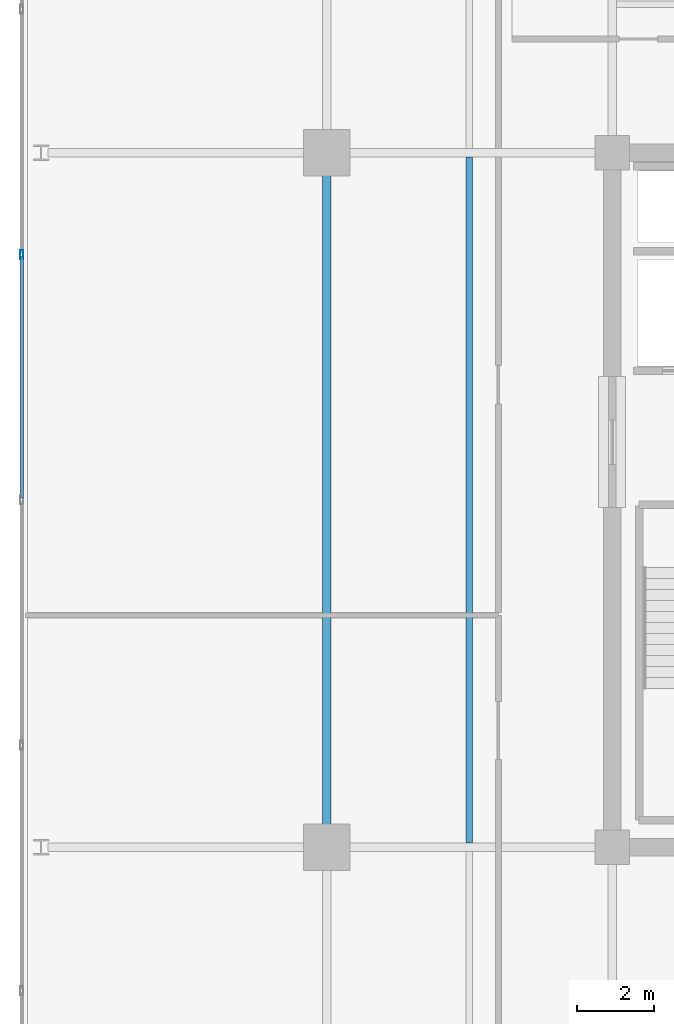
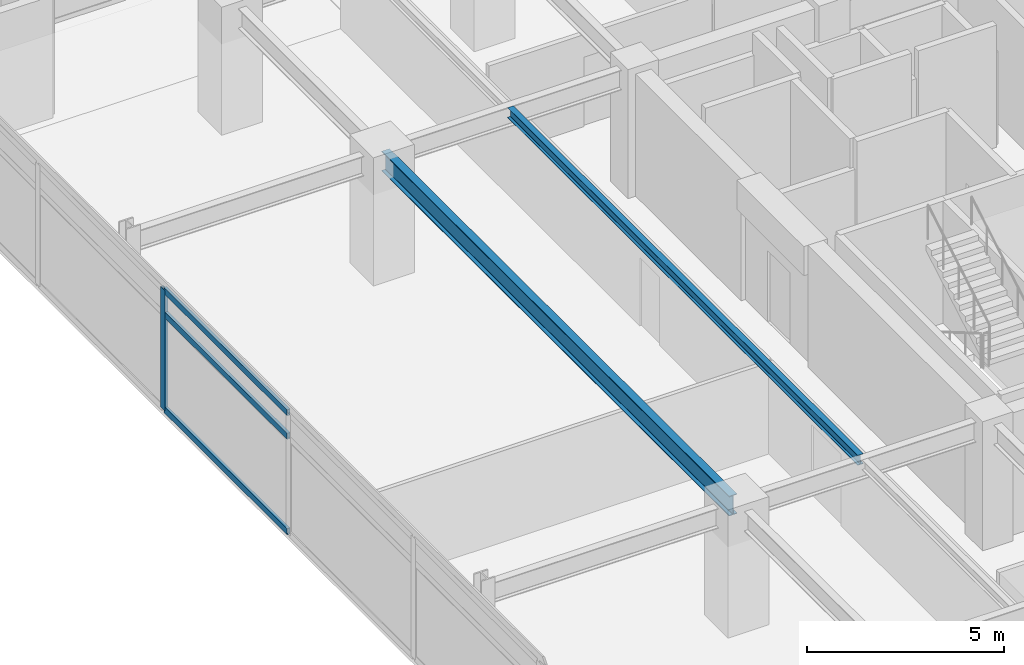
# One storey, part 5 of 21: 4 members, 2 beams, 1 element without a shape of its own.
"""IFC4 building model written with IfcOpenShell, lengths in metres."""

import ifcopenshell
import ifcopenshell.guid

model = None  # the IFC model being written
_history = None  # IfcOwnerHistory: only IFC2X3 demands one
_inside = {}  # id of a spatial element -> (the spatial element, [elements in it])
_under = {}  # id of a project, library or spatial element -> (it, [spatial elements below it])
_declared = {}  # id of a project -> (the project, [libraries it declares])
_typed = {}  # id of a type object -> (the type object, [elements of that type])
_made_of = {}  # id of a material, layer set ... -> (it, [elements and type objects made of it])


def new_model(schema):
    """Start an empty IFC model of exactly this schema.

    Asked for "IFC4X3", IfcOpenShell would pick the latest addendum, in which some entities
    have other attributes; the version numbers below select the first issue.
    IFC2X3 requires an IfcOwnerHistory on every rooted entity: one is made here for all.
    """
    global model, _history
    if schema == "IFC4X3":
        model = ifcopenshell.file(schema_version=(4, 3, 0, 0))
    else:
        model = ifcopenshell.file(schema=schema)
    _inside.clear()
    _under.clear()
    _declared.clear()
    _typed.clear()
    _made_of.clear()
    _history = None
    if model.schema == "IFC2X3":
        org = make("IfcOrganization", Name="unknown")
        user = make(
            "IfcPersonAndOrganization",
            ThePerson=make("IfcPerson", FamilyName="unknown"),
            TheOrganization=org,
        )
        app = make(
            "IfcApplication",
            ApplicationDeveloper=org,
            Version="unknown",
            ApplicationFullName="unknown",
            ApplicationIdentifier="unknown",
        )
        _history = make(
            "IfcOwnerHistory",
            OwningUser=user,
            OwningApplication=app,
            ChangeAction="ADDED",
            CreationDate=0,
        )
    return model


def make(cls, **values):
    """One entity of the class cls with the attributes given. An attribute that is None is left unset."""
    return model.create_entity(
        cls, **{name: value for name, value in values.items() if value is not None}
    )


def rooted(cls, **values):
    """An entity with a GlobalId (a new one), such as an element, a storey or a relation."""
    return make(cls, GlobalId=ifcopenshell.guid.new(), OwnerHistory=_history, **values)


def si_unit(unit_type, name, prefix=None):
    """IfcSIUnit, for example si_unit("LENGTHUNIT", "METRE", prefix="MILLI")."""
    return make("IfcSIUnit", UnitType=unit_type, Prefix=prefix, Name=name)


def assignment(units):
    """IfcUnitAssignment: the units of a project."""
    return None if units is None else make("IfcUnitAssignment", Units=units)


def point(xyz):
    """IfcCartesianPoint."""
    return None if xyz is None else make("IfcCartesianPoint", Coordinates=xyz)


def direction(xyz):
    """IfcDirection."""
    return None if xyz is None else make("IfcDirection", DirectionRatios=xyz)


def frame(location, z_axis=None, x_axis=None):
    """IfcAxis2Placement3D, a coordinate frame: its origin and axes. An axis left out is left unset."""
    return make(
        "IfcAxis2Placement3D",
        Location=point(location),
        Axis=direction(z_axis),
        RefDirection=direction(x_axis),
    )


def frame_2d(location, x_axis=None):
    """IfcAxis2Placement2D, a coordinate frame in the plane: its origin and x axis."""
    return make(
        "IfcAxis2Placement2D", Location=point(location), RefDirection=direction(x_axis)
    )


def origin():
    """The frame at (0, 0, 0) with its axes left unset."""
    return frame((0.0, 0.0, 0.0))


def origin_2d():
    """The frame at (0, 0) in the plane with its x axis left unset."""
    return frame_2d((0.0, 0.0))


def place(relative_to, where):
    """IfcLocalPlacement: puts the frame where relative to a parent placement (None: the world)."""
    return make(
        "IfcLocalPlacement", PlacementRelTo=relative_to, RelativePlacement=where
    )


def context(
    kind, dimensions, precision=None, world=None, true_north=None, identifier=None
):
    """IfcGeometricRepresentationContext, for example the 3D "Model" context."""
    return make(
        "IfcGeometricRepresentationContext",
        ContextIdentifier=identifier,
        ContextType=kind,
        CoordinateSpaceDimension=dimensions,
        Precision=precision,
        WorldCoordinateSystem=world,
        TrueNorth=true_north,
    )


def subcontext(parent, identifier, kind, view, scale=None):
    """IfcGeometricRepresentationSubContext, for example "Body" below "Model"."""
    return make(
        "IfcGeometricRepresentationSubContext",
        ContextIdentifier=identifier,
        ContextType=kind,
        ParentContext=parent,
        TargetScale=scale,
        TargetView=view,
    )


def project(units=None, contexts=None):
    """IfcProject with its units and contexts."""
    return rooted(
        "IfcProject",
        Name="project",
        RepresentationContexts=contexts,
        UnitsInContext=assignment(units),
    )


def spatial(cls, under=None, at=None, **own):
    """A site, building, storey or space (cls), placed at a placement, below another one or the project."""
    s = rooted(cls, ObjectPlacement=at, **own)
    if under is not None:
        _under.setdefault(under.id(), (under, []))[1].append(s)
    return s


def profile(cls, at=None, kind="AREA", **sizes):
    """A parametric profile (cls). Its sizes go by their IFC names, for example OverallWidth=200.0."""
    return make(cls, ProfileType=kind, Position=at, **sizes)


def hollow_rectangle(**sizes):
    """IfcRectangleHollowProfileDef."""
    return profile("IfcRectangleHollowProfileDef", **sizes)


def i_section(**sizes):
    """IfcIShapeProfileDef."""
    return profile("IfcIShapeProfileDef", **sizes)


def extrude(swept, where, along, depth):
    """IfcExtrudedAreaSolid: the profile swept, set in the frame where, extruded along a direction by depth."""
    return make(
        "IfcExtrudedAreaSolid",
        SweptArea=swept,
        Position=where,
        ExtrudedDirection=direction(along),
        Depth=depth,
    )


def shape(context_of_items, identifier, shape_type, items):
    """IfcShapeRepresentation: the items that make up one representation, for example the "Body"."""
    return make(
        "IfcShapeRepresentation",
        ContextOfItems=context_of_items,
        RepresentationIdentifier=identifier,
        RepresentationType=shape_type,
        Items=items,
    )


def material(Name=None, Category=None):
    """IfcMaterial."""
    return make("IfcMaterial", Name=Name, Category=Category)


def material_profile(
    of_material, cross_section, Name=None, Category=None, Priority=None
):
    """IfcMaterialProfile: a cross section and its material."""
    return make(
        "IfcMaterialProfile",
        Name=Name,
        Material=of_material,
        Profile=cross_section,
        Priority=Priority,
        Category=Category,
    )


def profile_set(profiles, Name=None, composite=None):
    """IfcMaterialProfileSet."""
    return make(
        "IfcMaterialProfileSet",
        Name=Name,
        MaterialProfiles=profiles,
        CompositeProfile=composite,
    )


def made_of(thing, what):
    """Note that an element or type object is made of a material, layer set ...; save() writes the relation."""
    if what is not None:
        _made_of.setdefault(what.id(), (what, []))[1].append(thing)
    return thing


def type_object(cls, material=None, **own):
    """A type object (cls), such as IfcWallType, which elements share."""
    return made_of(rooted(cls, **own), material)


def element(
    cls,
    number,
    at=None,
    inside=None,
    cuts=None,
    type_object=None,
    material=None,
    context=None,
    identifier="Body",
    shape_type=None,
    held_by="IfcProductDefinitionShape",
    body=None,
    shapes=None,
    **own,
):
    """One element of the class cls, such as IfcWall. Its Tag is "e" and its number.

    at: its placement. inside: the storey or other place that contains it. cuts: it is an
    opening in that element (IfcRelVoidsElement). A single representation is given by context,
    identifier, shape_type and body (its items); several are given by shapes. held_by: the class
    of the entity that holds the representations. save() writes the other relations.
    """
    e = rooted(cls, Tag="e%d" % number, ObjectPlacement=at, **own)
    if body is not None:
        shapes = [shape(context, identifier, shape_type, body)]
    if shapes is not None:
        e.Representation = make(held_by, Representations=shapes)
    if inside is not None:
        _inside.setdefault(inside.id(), (inside, []))[1].append(e)
    if cuts is not None:
        rooted(
            "IfcRelVoidsElement", RelatingBuildingElement=cuts, RelatedOpeningElement=e
        )
    if type_object is not None:
        _typed.setdefault(type_object.id(), (type_object, []))[1].append(e)
    return made_of(e, material)


def aggregate(whole, parts):
    """IfcRelAggregates: a whole, such as a stair, and the parts it consists of."""
    return rooted("IfcRelAggregates", RelatingObject=whole, RelatedObjects=parts)


def save(model, path):
    """Write the relations noted so far, then the file.

    IfcRelAggregates (storeys below a building ...), IfcRelContainedInSpatialStructure (elements
    in a storey), IfcRelDefinesByType, IfcRelAssociatesMaterial and IfcRelDeclares: one each for
    every whole, place, type object, material and project.
    """
    for whole, parts in _under.values():
        aggregate(whole, parts)
    for where, things in _inside.values():
        rooted(
            "IfcRelContainedInSpatialStructure",
            RelatedElements=things,
            RelatingStructure=where,
        )
    for kind, things in _typed.values():
        rooted("IfcRelDefinesByType", RelatedObjects=things, RelatingType=kind)
    for what, things in _made_of.values():
        rooted("IfcRelAssociatesMaterial", RelatedObjects=things, RelatingMaterial=what)
    for by, libraries in _declared.values():
        rooted("IfcRelDeclares", RelatingContext=by, RelatedDefinitions=libraries)
    model.write(path)


model = new_model("IFC4")

# Units and contexts
model_context = context("Model", 3, precision=1e-05, world=origin(), true_north=direction((0.0, 1.0)))
body_context = subcontext(model_context, "Body", "Model", "MODEL_VIEW")
ifc_project = project(units=[si_unit("LENGTHUNIT", "METRE"), si_unit("AREAUNIT", "SQUARE_METRE"), si_unit("VOLUMEUNIT", "CUBIC_METRE"), si_unit("PLANEANGLEUNIT", "RADIAN"), si_unit("MASSUNIT", "GRAM", prefix="KILO")], contexts=[model_context])

# Site, building, storey
site_placement = place(None, origin())
site = spatial("IfcSite", under=ifc_project, at=site_placement, CompositionType="ELEMENT")
building_placement = place(site_placement, origin())
building = spatial("IfcBuilding", under=site, at=building_placement, Name="Kovane Verandah Tower", CompositionType="ELEMENT")
storey_placement = place(building_placement, frame((0.0, 0.0, 263.199951171875)))
storey = spatial("IfcBuildingStorey", under=building, at=storey_placement, Name="L61", CompositionType="ELEMENT", Elevation=263.199951171875)

# Beam
ifc_material_1 = material(Name="Steel S355", Category="steel")
ifc_material_profile_1 = material_profile(ifc_material_1, i_section(OverallWidth=0.230224609375, OverallDepth=0.6171875, WebThickness=0.01318359375, FlangeThickness=0.022216796875, FilletRadius=0.0126953125, at=origin_2d()), Name="UB610x229x140")
ifc_profile_set_1 = profile_set([ifc_material_profile_1], Name="Steel S355")
beam_type_1 = type_object("IfcBeamType", Name="BM-UB610x140", PredefinedType="BEAM", material=ifc_profile_set_1)
beam_1_placement = place(storey_placement, frame((21.60009765625, 18.679931640625, 3.4765625), z_axis=(0.0, 1.0, 0.0), x_axis=(-1.0, 0.0, 0.0)))
element("IfcBeam", 1, at=beam_1_placement, inside=storey, type_object=beam_type_1, Name="L61 Primary Tower Girder G-RW2", PredefinedType="BEAM", context=body_context, shape_type="SweptSolid", body=[
    extrude(i_section(OverallWidth=0.230224609375, OverallDepth=0.6171875, WebThickness=0.01318359375, FlangeThickness=0.022216796875, FilletRadius=0.0126953125, at=origin_2d()), origin(), (0.0, 0.0, 1.0), 17.64013671875),
])

# Curtain wall, members
ifc_material_2 = material(Name="Champagne Anodised Aluminium Frame with Low-E Clear Laminated Glass", Category="aluminium")
curtain_wall_type = type_object("IfcCurtainWallType", Name="CW-SYS-05-HIGH", PredefinedType="NOTDEFINED", material=ifc_material_2)
curtain_wall_placement = place(storey_placement, origin())
curtain_wall = element("IfcCurtainWall", 2, at=curtain_wall_placement, inside=storey, type_object=curtain_wall_type, Name="L61 W Unitised Curtain Wall", PredefinedType="NOTDEFINED")
ifc_material_3 = material(Name="Champagne Anodised Aluminium 6063-T6", Category="aluminium")
ifc_material_profile_2 = material_profile(ifc_material_3, hollow_rectangle(XDim=0.0849609375, YDim=0.22998046875, WallThickness=0.00390625, at=origin_2d()), Name="AL85x230x4")
ifc_profile_set_2 = profile_set([ifc_material_profile_2], Name="Champagne Anodised Aluminium 6063-T6")
member_type_1 = type_object("IfcMemberType", Name="CW-MUL-85x230", PredefinedType="MULLION", material=ifc_profile_set_2)
member_1_placement = place(storey_placement, frame((13.6923828125, 33.860107421875, 0.02001953125), z_axis=(0.0, 0.0, 1.0), x_axis=(-1.0, 0.0, 0.0)))
member_1 = element("IfcMember", 3, at=member_1_placement, type_object=member_type_1, Name="L61 W Unitised Curtain Wall Mullion 3", PredefinedType="MULLION", context=body_context, shape_type="SweptSolid", body=[
    extrude(hollow_rectangle(XDim=0.0849609375, YDim=0.22998046875, WallThickness=0.00390625, at=origin_2d()), origin(), (0.0, 0.0, 1.0), 3.7451171875),
])
ifc_material_profile_3 = material_profile(ifc_material_3, hollow_rectangle(XDim=0.0849609375, YDim=0.18994140625, WallThickness=0.00390625, at=origin_2d()), Name="AL85x190x4")
ifc_profile_set_3 = profile_set([ifc_material_profile_3], Name="Champagne Anodised Aluminium 6063-T6")
member_type_2 = type_object("IfcMemberType", Name="CW-TRN-85x190", PredefinedType="USERDEFINED", material=ifc_profile_set_3)
member_2_placement = place(storey_placement, frame((13.6923828125, 33.81005859375, 0.050048828125), z_axis=(0.0, -1.0, 0.0), x_axis=(1.0, 0.0, 0.0)))
member_2 = element("IfcMember", 4, at=member_2_placement, type_object=member_type_2, Name="L61 W Unitised Curtain Wall Transom TB Bay 3", ObjectType="TRANSOM", PredefinedType="USERDEFINED", context=body_context, shape_type="SweptSolid", body=[
    extrude(hollow_rectangle(XDim=0.0849609375, YDim=0.18994140625, WallThickness=0.00390625, at=origin_2d()), origin(), (0.0, 0.0, 1.0), 6.260009765625),
])
member_3_placement = place(storey_placement, frame((13.6923828125, 33.81005859375, 3.005126953125), z_axis=(0.0, -1.0, 0.0), x_axis=(1.0, 0.0, 0.0)))
member_3 = element("IfcMember", 5, at=member_3_placement, type_object=member_type_2, Name="L61 W Unitised Curtain Wall Transom TM Bay 3", ObjectType="TRANSOM", PredefinedType="USERDEFINED", context=body_context, shape_type="SweptSolid", body=[
    extrude(hollow_rectangle(XDim=0.0849609375, YDim=0.18994140625, WallThickness=0.00390625, at=origin_2d()), origin(), (0.0, 0.0, 1.0), 6.260009765625),
])
member_4_placement = place(storey_placement, frame((13.6923828125, 33.81005859375, 3.735107421875), z_axis=(0.0, -1.0, 0.0), x_axis=(1.0, 0.0, 0.0)))
member_4 = element("IfcMember", 6, at=member_4_placement, type_object=member_type_2, Name="L61 W Unitised Curtain Wall Transom TT Bay 3", ObjectType="TRANSOM", PredefinedType="USERDEFINED", context=body_context, shape_type="SweptSolid", body=[
    extrude(hollow_rectangle(XDim=0.0849609375, YDim=0.18994140625, WallThickness=0.00390625, at=origin_2d()), origin(), (0.0, 0.0, 1.0), 6.260009765625),
])
aggregate(curtain_wall, [member_1, member_2, member_3, member_4])

# Beam
ifc_material_profile_4 = material_profile(ifc_material_1, i_section(OverallWidth=0.1669921875, OverallDepth=0.310302734375, WebThickness=0.0078125, FlangeThickness=0.013671875, FilletRadius=0.0087890625, at=origin_2d()), Name="UB305x165x54")
ifc_profile_set_4 = profile_set([ifc_material_profile_4], Name="Steel S355")
beam_type_2 = type_object("IfcBeamType", Name="JST-UB305x54", PredefinedType="JOIST", material=ifc_profile_set_4)
beam_2_placement = place(storey_placement, frame((25.300048828125, 18.613037109375, 3.6298828125), z_axis=(0.0, 1.0, 0.0), x_axis=(-1.0, 0.0, 0.0)))
element("IfcBeam", 7, at=beam_2_placement, inside=storey, type_object=beam_type_2, Name="L61 Secondary Composite Joist J-W1", PredefinedType="JOIST", context=body_context, shape_type="SweptSolid", body=[
    extrude(i_section(OverallWidth=0.1669921875, OverallDepth=0.310302734375, WebThickness=0.0078125, FlangeThickness=0.013671875, FilletRadius=0.0087890625, at=origin_2d()), origin(), (0.0, 0.0, 1.0), 17.77392578125),
])

save(model, "model.ifc")
